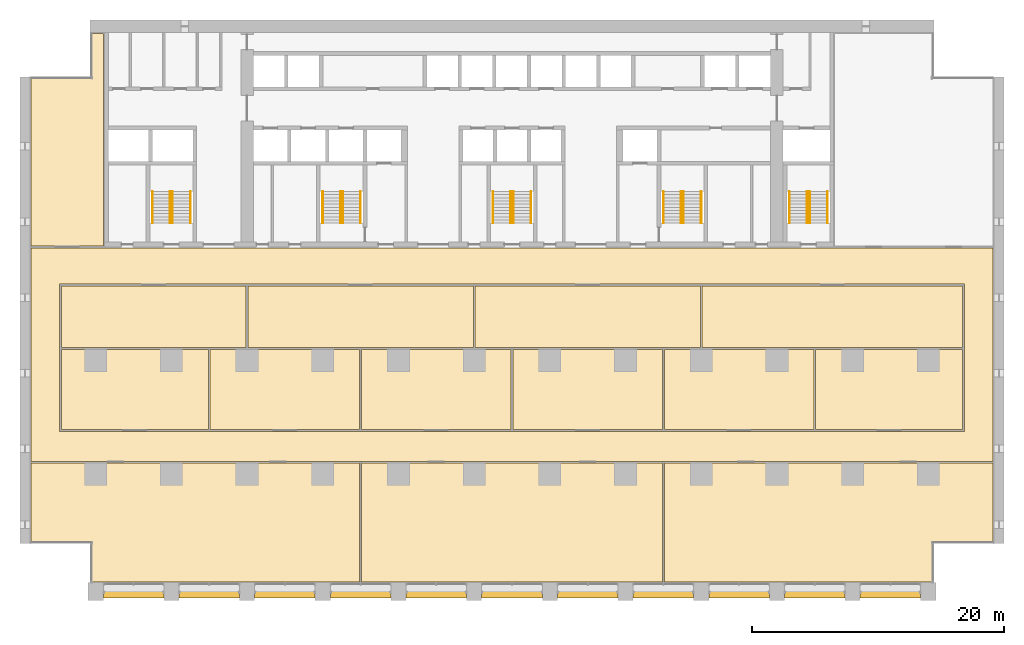
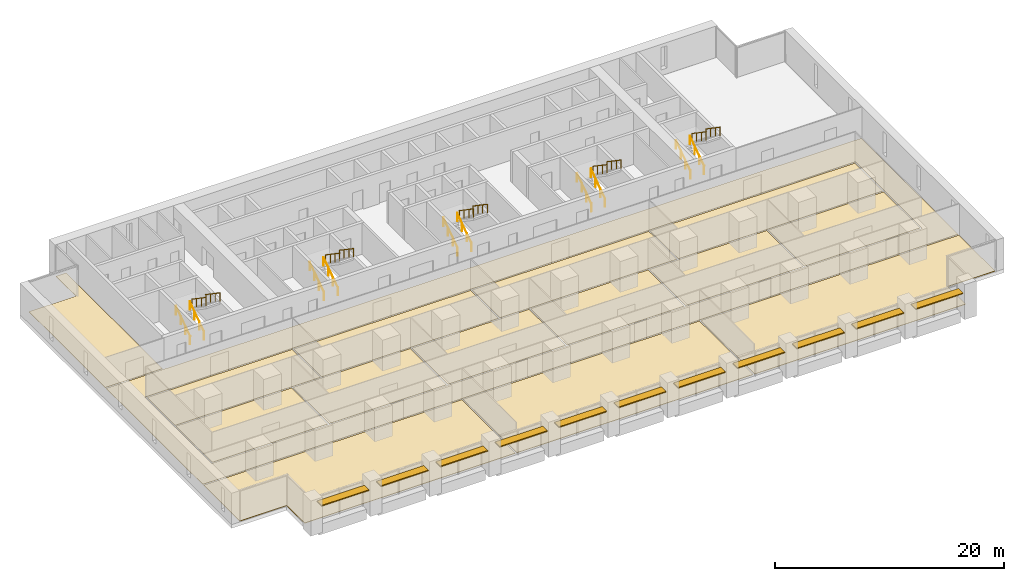
# One storey, part 17 of 18: 20 railings, 15 coverings, 11 shading devices, 5 elements without a shape of their own.
"""IFC4 building model written with IfcOpenShell, lengths in metres."""

from ifc_helpers import new_model, si_unit, direction, frame, origin, origin_2d, place, context, subcontext, project, spatial, polyline, rectangle, circle, outline, extrude, material, layer, layer_set, material_profile, profile_set, type_object, element, aggregate, save


model = new_model("IFC4")

# Units and contexts
model_context = context("Model", 3, precision=1e-05, world=origin(), true_north=direction((0.0, 1.0)))
body_context = subcontext(model_context, "Body", "Model", "MODEL_VIEW")
ifc_project = project(units=[si_unit("LENGTHUNIT", "METRE"), si_unit("AREAUNIT", "SQUARE_METRE"), si_unit("VOLUMEUNIT", "CUBIC_METRE"), si_unit("PLANEANGLEUNIT", "RADIAN"), si_unit("MASSUNIT", "GRAM", prefix="KILO")], contexts=[model_context])

# Site, building, storey
site_placement = place(None, origin())
site = spatial("IfcSite", under=ifc_project, at=site_placement, CompositionType="ELEMENT")
building_placement = place(site_placement, origin())
building = spatial("IfcBuilding", under=site, at=building_placement, Name="Calvaro Tower", CompositionType="ELEMENT")
storey_placement = place(building_placement, frame((0.0, 0.0, 33.75)))
storey = spatial("IfcBuildingStorey", under=building, at=storey_placement, Name="L07", CompositionType="ELEMENT", Elevation=33.75)

# Shading devices
ifc_material_1 = material(Name="Anodised aluminium", Category="aluminium")
ifc_material_profile = material_profile(ifc_material_1, rectangle(XDim=0.800048828125, YDim=0.10009765625, at=origin_2d()), Name="Brise-soleil blade 800 x 100")
ifc_profile_set = profile_set([ifc_material_profile], Name="Anodised aluminium")
shading_device_type = type_object("IfcShadingDeviceType", Name="Brise-soleil blade 800 x 100", PredefinedType="JALOUSIE", material=ifc_profile_set)
for number, where, z_axis, x_axis, name in (
    (1, (6.60009765625, 0.60009765625, 2.300048828125), (1.0, 0.0, 0.0), (0.0, 1.0, 0.0), "Brise-soleil blade 1"),
    (2, (12.60009765625, 0.60009765625, 2.300048828125), (1.0, 0.0, 0.0), (0.0, 1.0, 0.0), "Brise-soleil blade 2"),
    (3, (18.60009765625, 0.60009765625, 2.300048828125), (1.0, 0.0, 0.0), (0.0, 1.0, 0.0), "Brise-soleil blade 3"),
    (4, (24.60009765625, 0.60009765625, 2.300048828125), (1.0, 0.0, 0.0), (0.0, 1.0, 0.0), "Brise-soleil blade 4"),
    (5, (30.60009765625, 0.60009765625, 2.300048828125), (1.0, 0.0, 0.0), (0.0, 1.0, 0.0), "Brise-soleil blade 5"),
    (6, (36.60009765625, 0.60009765625, 2.300048828125), (1.0, 0.0, 0.0), (0.0, 1.0, 0.0), "Brise-soleil blade 6"),
    (7, (42.60009765625, 0.60009765625, 2.300048828125), (1.0, 0.0, 0.0), (0.0, 1.0, 0.0), "Brise-soleil blade 7"),
    (8, (48.60009765625, 0.60009765625, 2.300048828125), (1.0, 0.0, 0.0), (0.0, 1.0, 0.0), "Brise-soleil blade 8"),
    (9, (54.60009765625, 0.60009765625, 2.300048828125), (1.0, 0.0, 0.0), (0.0, 1.0, 0.0), "Brise-soleil blade 9"),
    (10, (60.60009765625, 0.60009765625, 2.300048828125), (1.0, 0.0, 0.0), (0.0, 1.0, 0.0), "Brise-soleil blade 10"),
    (11, (66.60009765625, 0.60009765625, 2.300048828125), (1.0, 0.0, 0.0), (0.0, 1.0, 0.0), "Brise-soleil blade 11"),
):
    element("IfcShadingDevice", number, at=place(storey_placement, frame(where, z_axis=z_axis, x_axis=x_axis)), inside=storey, type_object=shading_device_type, Name=name, PredefinedType="JALOUSIE", context=body_context, shape_type="SweptSolid", body=[
        extrude(rectangle(XDim=0.800048828125, YDim=0.10009765625, at=origin_2d()), origin(), (0.0, 0.0, 1.0), 4.7998046875),
    ])

# Coverings
ifc_material_2 = material(Name="Cement screed with carpet tile finish")
ifc_layer = layer(ifc_material_2, 0.050048828125)
ifc_layer_set = layer_set([ifc_layer], Name="Cement screed with carpet tile finish")
covering_type = type_object("IfcCoveringType", Name="Floor finish 50", PredefinedType="FLOORING", material=ifc_layer_set)
covering_1_placement = place(storey_placement, origin())
element("IfcCovering", 12, at=covering_1_placement, inside=storey, type_object=covering_type, Name="Floor finish 08.01", PredefinedType="FLOORING", context=body_context, shape_type="SweptSolid", body=[
    extrude(outline(polyline([(0.8701171875, 11.02001953125), (0.8701171875, 27.929931640625), (77.1298828125, 27.929931640625), (77.1298828125, 11.02001953125), (0.8701171875, 11.02001953125)]), holes=[polyline([(74.8701171875, 13.3798828125), (74.8701171875, 25.070068359375), (3.1298828125, 25.070068359375), (3.1298828125, 13.3798828125), (74.8701171875, 13.3798828125)])]), origin(), (0.0, 0.0, 1.0), 0.050048828125),
])
covering_2_placement = place(storey_placement, origin())
element("IfcCovering", 13, at=covering_2_placement, inside=storey, type_object=covering_type, Name="Floor finish 08.03", PredefinedType="FLOORING", context=body_context, shape_type="SweptSolid", body=[
    extrude(outline(polyline([(26.929931640625, 10.8798828125), (26.929931640625, 1.469970703125), (5.6201171875, 1.469970703125), (5.6201171875, 4.570068359375), (0.8701171875, 4.570068359375), (0.8701171875, 10.8798828125), (26.929931640625, 10.8798828125)])), origin(), (0.0, 0.0, 1.0), 0.050048828125),
])
covering_3_placement = place(storey_placement, origin())
element("IfcCovering", 14, at=covering_3_placement, inside=storey, type_object=covering_type, Name="Floor finish 08.02", PredefinedType="FLOORING", context=body_context, shape_type="SweptSolid", body=[
    extrude(outline(polyline([(27.070068359375, 10.8798828125), (50.929931640625, 10.8798828125), (50.929931640625, 1.469970703125), (27.070068359375, 1.469970703125), (27.070068359375, 10.8798828125)])), origin(), (0.0, 0.0, 1.0), 0.050048828125),
])
covering_4_placement = place(storey_placement, origin())
element("IfcCovering", 15, at=covering_4_placement, inside=storey, type_object=covering_type, Name="Floor finish 08.04", PredefinedType="FLOORING", context=body_context, shape_type="SweptSolid", body=[
    extrude(outline(polyline([(77.1298828125, 4.570068359375), (72.3798828125, 4.570068359375), (72.3798828125, 1.469970703125), (51.070068359375, 1.469970703125), (51.070068359375, 10.8798828125), (77.1298828125, 10.8798828125), (77.1298828125, 4.570068359375)])), origin(), (0.0, 0.0, 1.0), 0.050048828125),
])
covering_5_placement = place(storey_placement, origin())
element("IfcCovering", 16, at=covering_5_placement, inside=storey, type_object=covering_type, Name="Floor finish 08.05", PredefinedType="FLOORING", context=body_context, shape_type="SweptSolid", body=[
    extrude(outline(polyline([(3.27001953125, 13.52001953125), (3.27001953125, 19.8798828125), (14.929931640625, 19.8798828125), (14.929931640625, 13.52001953125), (3.27001953125, 13.52001953125)])), origin(), (0.0, 0.0, 1.0), 0.050048828125),
])
covering_6_placement = place(storey_placement, origin())
element("IfcCovering", 17, at=covering_6_placement, inside=storey, type_object=covering_type, Name="Floor finish 08.06", PredefinedType="FLOORING", context=body_context, shape_type="SweptSolid", body=[
    extrude(outline(polyline([(15.070068359375, 13.52001953125), (15.070068359375, 19.8798828125), (26.929931640625, 19.8798828125), (26.929931640625, 13.52001953125), (15.070068359375, 13.52001953125)])), origin(), (0.0, 0.0, 1.0), 0.050048828125),
])
covering_7_placement = place(storey_placement, origin())
element("IfcCovering", 18, at=covering_7_placement, inside=storey, type_object=covering_type, Name="Floor finish 08.07", PredefinedType="FLOORING", context=body_context, shape_type="SweptSolid", body=[
    extrude(outline(polyline([(27.070068359375, 13.52001953125), (27.070068359375, 19.8798828125), (38.929931640625, 19.8798828125), (38.929931640625, 13.52001953125), (27.070068359375, 13.52001953125)])), origin(), (0.0, 0.0, 1.0), 0.050048828125),
])
covering_8_placement = place(storey_placement, origin())
element("IfcCovering", 19, at=covering_8_placement, inside=storey, type_object=covering_type, Name="Floor finish 08.08", PredefinedType="FLOORING", context=body_context, shape_type="SweptSolid", body=[
    extrude(outline(polyline([(39.070068359375, 13.52001953125), (39.070068359375, 19.8798828125), (50.929931640625, 19.8798828125), (50.929931640625, 13.52001953125), (39.070068359375, 13.52001953125)])), origin(), (0.0, 0.0, 1.0), 0.050048828125),
])
covering_9_placement = place(storey_placement, origin())
element("IfcCovering", 20, at=covering_9_placement, inside=storey, type_object=covering_type, Name="Floor finish 08.09", PredefinedType="FLOORING", context=body_context, shape_type="SweptSolid", body=[
    extrude(outline(polyline([(51.070068359375, 13.52001953125), (51.070068359375, 19.8798828125), (62.929931640625, 19.8798828125), (62.929931640625, 13.52001953125), (51.070068359375, 13.52001953125)])), origin(), (0.0, 0.0, 1.0), 0.050048828125),
])
covering_10_placement = place(storey_placement, origin())
element("IfcCovering", 21, at=covering_10_placement, inside=storey, type_object=covering_type, Name="Floor finish 08.10", PredefinedType="FLOORING", context=body_context, shape_type="SweptSolid", body=[
    extrude(outline(polyline([(63.070068359375, 13.52001953125), (63.070068359375, 19.8798828125), (74.72998046875, 19.8798828125), (74.72998046875, 13.52001953125), (63.070068359375, 13.52001953125)])), origin(), (0.0, 0.0, 1.0), 0.050048828125),
])
covering_11_placement = place(storey_placement, origin())
element("IfcCovering", 22, at=covering_11_placement, inside=storey, type_object=covering_type, Name="Floor finish 08.11", PredefinedType="FLOORING", context=body_context, shape_type="SweptSolid", body=[
    extrude(outline(polyline([(3.27001953125, 20.02001953125), (3.27001953125, 24.929931640625), (17.929931640625, 24.929931640625), (17.929931640625, 20.02001953125), (3.27001953125, 20.02001953125)])), origin(), (0.0, 0.0, 1.0), 0.050048828125),
])
covering_12_placement = place(storey_placement, origin())
element("IfcCovering", 23, at=covering_12_placement, inside=storey, type_object=covering_type, Name="Floor finish 08.12", PredefinedType="FLOORING", context=body_context, shape_type="SweptSolid", body=[
    extrude(outline(polyline([(18.070068359375, 20.02001953125), (18.070068359375, 24.929931640625), (35.929931640625, 24.929931640625), (35.929931640625, 20.02001953125), (18.070068359375, 20.02001953125)])), origin(), (0.0, 0.0, 1.0), 0.050048828125),
])
covering_13_placement = place(storey_placement, origin())
element("IfcCovering", 24, at=covering_13_placement, inside=storey, type_object=covering_type, Name="Floor finish 08.13", PredefinedType="FLOORING", context=body_context, shape_type="SweptSolid", body=[
    extrude(outline(polyline([(36.070068359375, 20.02001953125), (36.070068359375, 24.929931640625), (53.929931640625, 24.929931640625), (53.929931640625, 20.02001953125), (36.070068359375, 20.02001953125)])), origin(), (0.0, 0.0, 1.0), 0.050048828125),
])
covering_14_placement = place(storey_placement, origin())
element("IfcCovering", 25, at=covering_14_placement, inside=storey, type_object=covering_type, Name="Floor finish 08.14", PredefinedType="FLOORING", context=body_context, shape_type="SweptSolid", body=[
    extrude(outline(polyline([(54.070068359375, 20.02001953125), (54.070068359375, 24.929931640625), (74.72998046875, 24.929931640625), (74.72998046875, 20.02001953125), (54.070068359375, 20.02001953125)])), origin(), (0.0, 0.0, 1.0), 0.050048828125),
])
covering_15_placement = place(storey_placement, origin())
element("IfcCovering", 26, at=covering_15_placement, inside=storey, type_object=covering_type, Name="Floor finish 08.15", PredefinedType="FLOORING", context=body_context, shape_type="SweptSolid", body=[
    extrude(outline(polyline([(6.6298828125, 28.070068359375), (0.8701171875, 28.070068359375), (0.8701171875, 41.429931640625), (5.6201171875, 41.429931640625), (5.6201171875, 44.929931640625), (6.6298828125, 44.929931640625), (6.6298828125, 28.070068359375)])), origin(), (0.0, 0.0, 1.0), 0.050048828125),
])

# Stair, railings
ifc_material_3 = material(Name="Concrete C40/50", Category="concrete")
stair_type = type_object("IfcStairType", Name="Exit stair 1400 2 flights", PredefinedType="HALF_TURN_STAIR", material=ifc_material_3)
stair_1_placement = place(storey_placement, origin())
stair_1 = element("IfcStair", 27, at=stair_1_placement, inside=storey, type_object=stair_type, Name="Exit stair S1", PredefinedType="HALF_TURN_STAIR")
ifc_material_4 = material(Name="Stainless steel", Category="steel")
railing_type = type_object("IfcRailingType", Name="Stair handrail", PredefinedType="HANDRAIL", material=ifc_material_4)
railing_1_placement = place(storey_placement, frame((11.89990234375, 29.89990234375, 0.17041015625)))
railing_1 = element("IfcRailing", 28, at=railing_1_placement, type_object=railing_type, Name="Exit stair 1 handrail", PredefinedType="HANDRAIL", context=body_context, shape_type="SweptSolid", body=[
    extrude(circle(Radius=0.02392578125, at=origin_2d()), frame((0.0, 0.0, 0.8759765625), z_axis=(0.0, 0.826220514629, 0.563346839174), x_axis=(-1.0, 0.0, 0.0)), (0.0, 0.0, 1.0), 3.02587890625),
    extrude(circle(Radius=0.02099609375, at=origin_2d()), frame((0.0, 0.017333984375, 0.01171875)), (0.0, 0.0, 1.0), 0.851806640625),
    extrude(circle(Radius=0.02099609375, at=origin_2d()), frame((0.0, 0.833251953125, 0.568115234375)), (0.0, 0.0, 1.0), 0.851806640625),
    extrude(circle(Radius=0.02099609375, at=origin_2d()), frame((0.0, 1.666748046875, 1.136474609375)), (0.0, 0.0, 1.0), 0.851806640625),
    extrude(circle(Radius=0.02099609375, at=origin_2d()), frame((0.0, 2.482666015625, 1.69287109375)), (0.0, 0.0, 1.0), 0.851806640625),
])
railing_2_placement = place(storey_placement, frame((10.5, 29.89990234375, 0.17041015625)))
railing_2 = element("IfcRailing", 29, at=railing_2_placement, type_object=railing_type, Name="Exit stair 1 handrail", PredefinedType="HANDRAIL", context=body_context, shape_type="SweptSolid", body=[
    extrude(circle(Radius=0.02392578125, at=origin_2d()), frame((0.0, 0.0, 0.8759765625), z_axis=(0.0, 0.826220514629, 0.563346839174), x_axis=(-1.0, 0.0, 0.0)), (0.0, 0.0, 1.0), 3.02587890625),
    extrude(circle(Radius=0.02099609375, at=origin_2d()), frame((0.0, 0.017333984375, 0.01171875)), (0.0, 0.0, 1.0), 0.851806640625),
    extrude(circle(Radius=0.02099609375, at=origin_2d()), frame((0.0, 0.833251953125, 0.568115234375)), (0.0, 0.0, 1.0), 0.851806640625),
    extrude(circle(Radius=0.02099609375, at=origin_2d()), frame((0.0, 1.666748046875, 1.136474609375)), (0.0, 0.0, 1.0), 0.851806640625),
    extrude(circle(Radius=0.02099609375, at=origin_2d()), frame((0.0, 2.482666015625, 1.69287109375)), (0.0, 0.0, 1.0), 0.851806640625),
])
railing_3_placement = place(storey_placement, frame((12.10009765625, 32.39990234375, 2.04541015625)))
railing_3 = element("IfcRailing", 30, at=railing_3_placement, type_object=railing_type, Name="Exit stair 1 handrail", PredefinedType="HANDRAIL", context=body_context, shape_type="SweptSolid", body=[
    extrude(circle(Radius=0.02392578125, at=origin_2d()), frame((0.0, 0.0, 0.8759765625), z_axis=(0.0, -0.826220514629, 0.563346839174), x_axis=(1.0, 0.0, 0.0)), (0.0, 0.0, 1.0), 3.02587890625),
    extrude(circle(Radius=0.02099609375, at=origin_2d()), frame((0.0, -0.017333984375, 0.01171875)), (0.0, 0.0, 1.0), 0.851806640625),
    extrude(circle(Radius=0.02099609375, at=origin_2d()), frame((0.0, -0.833251953125, 0.568115234375)), (0.0, 0.0, 1.0), 0.851806640625),
    extrude(circle(Radius=0.02099609375, at=origin_2d()), frame((0.0, -1.666748046875, 1.136474609375)), (0.0, 0.0, 1.0), 0.851806640625),
    extrude(circle(Radius=0.02099609375, at=origin_2d()), frame((0.0, -2.482666015625, 1.69287109375)), (0.0, 0.0, 1.0), 0.851806640625),
])
railing_4_placement = place(storey_placement, frame((13.5, 32.39990234375, 2.04541015625)))
railing_4 = element("IfcRailing", 31, at=railing_4_placement, type_object=railing_type, Name="Exit stair 1 handrail", PredefinedType="HANDRAIL", context=body_context, shape_type="SweptSolid", body=[
    extrude(circle(Radius=0.02392578125, at=origin_2d()), frame((0.0, 0.0, 0.8759765625), z_axis=(0.0, -0.826220514629, 0.563346839174), x_axis=(1.0, 0.0, 0.0)), (0.0, 0.0, 1.0), 3.02587890625),
    extrude(circle(Radius=0.02099609375, at=origin_2d()), frame((0.0, -0.017333984375, 0.01171875)), (0.0, 0.0, 1.0), 0.851806640625),
    extrude(circle(Radius=0.02099609375, at=origin_2d()), frame((0.0, -0.833251953125, 0.568115234375)), (0.0, 0.0, 1.0), 0.851806640625),
    extrude(circle(Radius=0.02099609375, at=origin_2d()), frame((0.0, -1.666748046875, 1.136474609375)), (0.0, 0.0, 1.0), 0.851806640625),
    extrude(circle(Radius=0.02099609375, at=origin_2d()), frame((0.0, -2.482666015625, 1.69287109375)), (0.0, 0.0, 1.0), 0.851806640625),
])
aggregate(stair_1, [railing_1, railing_2, railing_3, railing_4])

stair_2_placement = place(storey_placement, origin())
stair_2 = element("IfcStair", 32, at=stair_2_placement, inside=storey, type_object=stair_type, Name="Exit stair S2", PredefinedType="HALF_TURN_STAIR")
railing_5_placement = place(storey_placement, frame((25.39990234375, 29.89990234375, 0.17041015625)))
railing_5 = element("IfcRailing", 33, at=railing_5_placement, type_object=railing_type, Name="Exit stair 2 handrail", PredefinedType="HANDRAIL", context=body_context, shape_type="SweptSolid", body=[
    extrude(circle(Radius=0.02392578125, at=origin_2d()), frame((0.0, 0.0, 0.8759765625), z_axis=(0.0, 0.826220514629, 0.563346839174), x_axis=(-1.0, 0.0, 0.0)), (0.0, 0.0, 1.0), 3.02587890625),
    extrude(circle(Radius=0.02099609375, at=origin_2d()), frame((0.0, 0.017333984375, 0.01171875)), (0.0, 0.0, 1.0), 0.851806640625),
    extrude(circle(Radius=0.02099609375, at=origin_2d()), frame((0.0, 0.833251953125, 0.568115234375)), (0.0, 0.0, 1.0), 0.851806640625),
    extrude(circle(Radius=0.02099609375, at=origin_2d()), frame((0.0, 1.666748046875, 1.136474609375)), (0.0, 0.0, 1.0), 0.851806640625),
    extrude(circle(Radius=0.02099609375, at=origin_2d()), frame((0.0, 2.482666015625, 1.69287109375)), (0.0, 0.0, 1.0), 0.851806640625),
])
railing_6_placement = place(storey_placement, frame((24.0, 29.89990234375, 0.17041015625)))
railing_6 = element("IfcRailing", 34, at=railing_6_placement, type_object=railing_type, Name="Exit stair 2 handrail", PredefinedType="HANDRAIL", context=body_context, shape_type="SweptSolid", body=[
    extrude(circle(Radius=0.02392578125, at=origin_2d()), frame((0.0, 0.0, 0.8759765625), z_axis=(0.0, 0.826220514629, 0.563346839174), x_axis=(-1.0, 0.0, 0.0)), (0.0, 0.0, 1.0), 3.02587890625),
    extrude(circle(Radius=0.02099609375, at=origin_2d()), frame((0.0, 0.017333984375, 0.01171875)), (0.0, 0.0, 1.0), 0.851806640625),
    extrude(circle(Radius=0.02099609375, at=origin_2d()), frame((0.0, 0.833251953125, 0.568115234375)), (0.0, 0.0, 1.0), 0.851806640625),
    extrude(circle(Radius=0.02099609375, at=origin_2d()), frame((0.0, 1.666748046875, 1.136474609375)), (0.0, 0.0, 1.0), 0.851806640625),
    extrude(circle(Radius=0.02099609375, at=origin_2d()), frame((0.0, 2.482666015625, 1.69287109375)), (0.0, 0.0, 1.0), 0.851806640625),
])
railing_7_placement = place(storey_placement, frame((25.60009765625, 32.39990234375, 2.04541015625)))
railing_7 = element("IfcRailing", 35, at=railing_7_placement, type_object=railing_type, Name="Exit stair 2 handrail", PredefinedType="HANDRAIL", context=body_context, shape_type="SweptSolid", body=[
    extrude(circle(Radius=0.02392578125, at=origin_2d()), frame((0.0, 0.0, 0.8759765625), z_axis=(0.0, -0.826220514629, 0.563346839174), x_axis=(1.0, 0.0, 0.0)), (0.0, 0.0, 1.0), 3.02587890625),
    extrude(circle(Radius=0.02099609375, at=origin_2d()), frame((0.0, -0.017333984375, 0.01171875)), (0.0, 0.0, 1.0), 0.851806640625),
    extrude(circle(Radius=0.02099609375, at=origin_2d()), frame((0.0, -0.833251953125, 0.568115234375)), (0.0, 0.0, 1.0), 0.851806640625),
    extrude(circle(Radius=0.02099609375, at=origin_2d()), frame((0.0, -1.666748046875, 1.136474609375)), (0.0, 0.0, 1.0), 0.851806640625),
    extrude(circle(Radius=0.02099609375, at=origin_2d()), frame((0.0, -2.482666015625, 1.69287109375)), (0.0, 0.0, 1.0), 0.851806640625),
])
railing_8_placement = place(storey_placement, frame((27.0, 32.39990234375, 2.04541015625)))
railing_8 = element("IfcRailing", 36, at=railing_8_placement, type_object=railing_type, Name="Exit stair 2 handrail", PredefinedType="HANDRAIL", context=body_context, shape_type="SweptSolid", body=[
    extrude(circle(Radius=0.02392578125, at=origin_2d()), frame((0.0, 0.0, 0.8759765625), z_axis=(0.0, -0.826220514629, 0.563346839174), x_axis=(1.0, 0.0, 0.0)), (0.0, 0.0, 1.0), 3.02587890625),
    extrude(circle(Radius=0.02099609375, at=origin_2d()), frame((0.0, -0.017333984375, 0.01171875)), (0.0, 0.0, 1.0), 0.851806640625),
    extrude(circle(Radius=0.02099609375, at=origin_2d()), frame((0.0, -0.833251953125, 0.568115234375)), (0.0, 0.0, 1.0), 0.851806640625),
    extrude(circle(Radius=0.02099609375, at=origin_2d()), frame((0.0, -1.666748046875, 1.136474609375)), (0.0, 0.0, 1.0), 0.851806640625),
    extrude(circle(Radius=0.02099609375, at=origin_2d()), frame((0.0, -2.482666015625, 1.69287109375)), (0.0, 0.0, 1.0), 0.851806640625),
])
aggregate(stair_2, [railing_5, railing_6, railing_7, railing_8])

stair_3_placement = place(storey_placement, origin())
stair_3 = element("IfcStair", 37, at=stair_3_placement, inside=storey, type_object=stair_type, Name="Exit stair S3", PredefinedType="HALF_TURN_STAIR")
railing_9_placement = place(storey_placement, frame((38.89990234375, 29.89990234375, 0.17041015625)))
railing_9 = element("IfcRailing", 38, at=railing_9_placement, type_object=railing_type, Name="Exit stair 3 handrail", PredefinedType="HANDRAIL", context=body_context, shape_type="SweptSolid", body=[
    extrude(circle(Radius=0.02392578125, at=origin_2d()), frame((0.0, 0.0, 0.8759765625), z_axis=(0.0, 0.826220514629, 0.563346839174), x_axis=(-1.0, 0.0, 0.0)), (0.0, 0.0, 1.0), 3.02587890625),
    extrude(circle(Radius=0.02099609375, at=origin_2d()), frame((0.0, 0.017333984375, 0.01171875)), (0.0, 0.0, 1.0), 0.851806640625),
    extrude(circle(Radius=0.02099609375, at=origin_2d()), frame((0.0, 0.833251953125, 0.568115234375)), (0.0, 0.0, 1.0), 0.851806640625),
    extrude(circle(Radius=0.02099609375, at=origin_2d()), frame((0.0, 1.666748046875, 1.136474609375)), (0.0, 0.0, 1.0), 0.851806640625),
    extrude(circle(Radius=0.02099609375, at=origin_2d()), frame((0.0, 2.482666015625, 1.69287109375)), (0.0, 0.0, 1.0), 0.851806640625),
])
railing_10_placement = place(storey_placement, frame((37.5, 29.89990234375, 0.17041015625)))
railing_10 = element("IfcRailing", 39, at=railing_10_placement, type_object=railing_type, Name="Exit stair 3 handrail", PredefinedType="HANDRAIL", context=body_context, shape_type="SweptSolid", body=[
    extrude(circle(Radius=0.02392578125, at=origin_2d()), frame((0.0, 0.0, 0.8759765625), z_axis=(0.0, 0.826220514629, 0.563346839174), x_axis=(-1.0, 0.0, 0.0)), (0.0, 0.0, 1.0), 3.02587890625),
    extrude(circle(Radius=0.02099609375, at=origin_2d()), frame((0.0, 0.017333984375, 0.01171875)), (0.0, 0.0, 1.0), 0.851806640625),
    extrude(circle(Radius=0.02099609375, at=origin_2d()), frame((0.0, 0.833251953125, 0.568115234375)), (0.0, 0.0, 1.0), 0.851806640625),
    extrude(circle(Radius=0.02099609375, at=origin_2d()), frame((0.0, 1.666748046875, 1.136474609375)), (0.0, 0.0, 1.0), 0.851806640625),
    extrude(circle(Radius=0.02099609375, at=origin_2d()), frame((0.0, 2.482666015625, 1.69287109375)), (0.0, 0.0, 1.0), 0.851806640625),
])
railing_11_placement = place(storey_placement, frame((39.10009765625, 32.39990234375, 2.04541015625)))
railing_11 = element("IfcRailing", 40, at=railing_11_placement, type_object=railing_type, Name="Exit stair 3 handrail", PredefinedType="HANDRAIL", context=body_context, shape_type="SweptSolid", body=[
    extrude(circle(Radius=0.02392578125, at=origin_2d()), frame((0.0, 0.0, 0.8759765625), z_axis=(0.0, -0.826220514629, 0.563346839174), x_axis=(1.0, 0.0, 0.0)), (0.0, 0.0, 1.0), 3.02587890625),
    extrude(circle(Radius=0.02099609375, at=origin_2d()), frame((0.0, -0.017333984375, 0.01171875)), (0.0, 0.0, 1.0), 0.851806640625),
    extrude(circle(Radius=0.02099609375, at=origin_2d()), frame((0.0, -0.833251953125, 0.568115234375)), (0.0, 0.0, 1.0), 0.851806640625),
    extrude(circle(Radius=0.02099609375, at=origin_2d()), frame((0.0, -1.666748046875, 1.136474609375)), (0.0, 0.0, 1.0), 0.851806640625),
    extrude(circle(Radius=0.02099609375, at=origin_2d()), frame((0.0, -2.482666015625, 1.69287109375)), (0.0, 0.0, 1.0), 0.851806640625),
])
railing_12_placement = place(storey_placement, frame((40.5, 32.39990234375, 2.04541015625)))
railing_12 = element("IfcRailing", 41, at=railing_12_placement, type_object=railing_type, Name="Exit stair 3 handrail", PredefinedType="HANDRAIL", context=body_context, shape_type="SweptSolid", body=[
    extrude(circle(Radius=0.02392578125, at=origin_2d()), frame((0.0, 0.0, 0.8759765625), z_axis=(0.0, -0.826220514629, 0.563346839174), x_axis=(1.0, 0.0, 0.0)), (0.0, 0.0, 1.0), 3.02587890625),
    extrude(circle(Radius=0.02099609375, at=origin_2d()), frame((0.0, -0.017333984375, 0.01171875)), (0.0, 0.0, 1.0), 0.851806640625),
    extrude(circle(Radius=0.02099609375, at=origin_2d()), frame((0.0, -0.833251953125, 0.568115234375)), (0.0, 0.0, 1.0), 0.851806640625),
    extrude(circle(Radius=0.02099609375, at=origin_2d()), frame((0.0, -1.666748046875, 1.136474609375)), (0.0, 0.0, 1.0), 0.851806640625),
    extrude(circle(Radius=0.02099609375, at=origin_2d()), frame((0.0, -2.482666015625, 1.69287109375)), (0.0, 0.0, 1.0), 0.851806640625),
])
aggregate(stair_3, [railing_9, railing_10, railing_11, railing_12])

stair_4_placement = place(storey_placement, origin())
stair_4 = element("IfcStair", 42, at=stair_4_placement, inside=storey, type_object=stair_type, Name="Exit stair S4", PredefinedType="HALF_TURN_STAIR")
railing_13_placement = place(storey_placement, frame((52.39990234375, 29.89990234375, 0.17041015625)))
railing_13 = element("IfcRailing", 43, at=railing_13_placement, type_object=railing_type, Name="Exit stair 4 handrail", PredefinedType="HANDRAIL", context=body_context, shape_type="SweptSolid", body=[
    extrude(circle(Radius=0.02392578125, at=origin_2d()), frame((0.0, 0.0, 0.8759765625), z_axis=(0.0, 0.826220514629, 0.563346839174), x_axis=(-1.0, 0.0, 0.0)), (0.0, 0.0, 1.0), 3.02587890625),
    extrude(circle(Radius=0.02099609375, at=origin_2d()), frame((0.0, 0.017333984375, 0.01171875)), (0.0, 0.0, 1.0), 0.851806640625),
    extrude(circle(Radius=0.02099609375, at=origin_2d()), frame((0.0, 0.833251953125, 0.568115234375)), (0.0, 0.0, 1.0), 0.851806640625),
    extrude(circle(Radius=0.02099609375, at=origin_2d()), frame((0.0, 1.666748046875, 1.136474609375)), (0.0, 0.0, 1.0), 0.851806640625),
    extrude(circle(Radius=0.02099609375, at=origin_2d()), frame((0.0, 2.482666015625, 1.69287109375)), (0.0, 0.0, 1.0), 0.851806640625),
])
railing_14_placement = place(storey_placement, frame((51.0, 29.89990234375, 0.17041015625)))
railing_14 = element("IfcRailing", 44, at=railing_14_placement, type_object=railing_type, Name="Exit stair 4 handrail", PredefinedType="HANDRAIL", context=body_context, shape_type="SweptSolid", body=[
    extrude(circle(Radius=0.02392578125, at=origin_2d()), frame((0.0, 0.0, 0.8759765625), z_axis=(0.0, 0.826220514629, 0.563346839174), x_axis=(-1.0, 0.0, 0.0)), (0.0, 0.0, 1.0), 3.02587890625),
    extrude(circle(Radius=0.02099609375, at=origin_2d()), frame((0.0, 0.017333984375, 0.01171875)), (0.0, 0.0, 1.0), 0.851806640625),
    extrude(circle(Radius=0.02099609375, at=origin_2d()), frame((0.0, 0.833251953125, 0.568115234375)), (0.0, 0.0, 1.0), 0.851806640625),
    extrude(circle(Radius=0.02099609375, at=origin_2d()), frame((0.0, 1.666748046875, 1.136474609375)), (0.0, 0.0, 1.0), 0.851806640625),
    extrude(circle(Radius=0.02099609375, at=origin_2d()), frame((0.0, 2.482666015625, 1.69287109375)), (0.0, 0.0, 1.0), 0.851806640625),
])
railing_15_placement = place(storey_placement, frame((52.60009765625, 32.39990234375, 2.04541015625)))
railing_15 = element("IfcRailing", 45, at=railing_15_placement, type_object=railing_type, Name="Exit stair 4 handrail", PredefinedType="HANDRAIL", context=body_context, shape_type="SweptSolid", body=[
    extrude(circle(Radius=0.02392578125, at=origin_2d()), frame((0.0, 0.0, 0.8759765625), z_axis=(0.0, -0.826220514629, 0.563346839174), x_axis=(1.0, 0.0, 0.0)), (0.0, 0.0, 1.0), 3.02587890625),
    extrude(circle(Radius=0.02099609375, at=origin_2d()), frame((0.0, -0.017333984375, 0.01171875)), (0.0, 0.0, 1.0), 0.851806640625),
    extrude(circle(Radius=0.02099609375, at=origin_2d()), frame((0.0, -0.833251953125, 0.568115234375)), (0.0, 0.0, 1.0), 0.851806640625),
    extrude(circle(Radius=0.02099609375, at=origin_2d()), frame((0.0, -1.666748046875, 1.136474609375)), (0.0, 0.0, 1.0), 0.851806640625),
    extrude(circle(Radius=0.02099609375, at=origin_2d()), frame((0.0, -2.482666015625, 1.69287109375)), (0.0, 0.0, 1.0), 0.851806640625),
])
railing_16_placement = place(storey_placement, frame((54.0, 32.39990234375, 2.04541015625)))
railing_16 = element("IfcRailing", 46, at=railing_16_placement, type_object=railing_type, Name="Exit stair 4 handrail", PredefinedType="HANDRAIL", context=body_context, shape_type="SweptSolid", body=[
    extrude(circle(Radius=0.02392578125, at=origin_2d()), frame((0.0, 0.0, 0.8759765625), z_axis=(0.0, -0.826220514629, 0.563346839174), x_axis=(1.0, 0.0, 0.0)), (0.0, 0.0, 1.0), 3.02587890625),
    extrude(circle(Radius=0.02099609375, at=origin_2d()), frame((0.0, -0.017333984375, 0.01171875)), (0.0, 0.0, 1.0), 0.851806640625),
    extrude(circle(Radius=0.02099609375, at=origin_2d()), frame((0.0, -0.833251953125, 0.568115234375)), (0.0, 0.0, 1.0), 0.851806640625),
    extrude(circle(Radius=0.02099609375, at=origin_2d()), frame((0.0, -1.666748046875, 1.136474609375)), (0.0, 0.0, 1.0), 0.851806640625),
    extrude(circle(Radius=0.02099609375, at=origin_2d()), frame((0.0, -2.482666015625, 1.69287109375)), (0.0, 0.0, 1.0), 0.851806640625),
])
aggregate(stair_4, [railing_13, railing_14, railing_15, railing_16])

stair_5_placement = place(storey_placement, origin())
stair_5 = element("IfcStair", 47, at=stair_5_placement, inside=storey, type_object=stair_type, Name="Exit stair S5", PredefinedType="HALF_TURN_STAIR")
railing_17_placement = place(storey_placement, frame((62.39990234375, 29.89990234375, 0.17041015625)))
railing_17 = element("IfcRailing", 48, at=railing_17_placement, type_object=railing_type, Name="Exit stair 5 handrail", PredefinedType="HANDRAIL", context=body_context, shape_type="SweptSolid", body=[
    extrude(circle(Radius=0.02392578125, at=origin_2d()), frame((0.0, 0.0, 0.8759765625), z_axis=(0.0, 0.826220514629, 0.563346839174), x_axis=(-1.0, 0.0, 0.0)), (0.0, 0.0, 1.0), 3.02587890625),
    extrude(circle(Radius=0.02099609375, at=origin_2d()), frame((0.0, 0.017333984375, 0.01171875)), (0.0, 0.0, 1.0), 0.851806640625),
    extrude(circle(Radius=0.02099609375, at=origin_2d()), frame((0.0, 0.833251953125, 0.568115234375)), (0.0, 0.0, 1.0), 0.851806640625),
    extrude(circle(Radius=0.02099609375, at=origin_2d()), frame((0.0, 1.666748046875, 1.136474609375)), (0.0, 0.0, 1.0), 0.851806640625),
    extrude(circle(Radius=0.02099609375, at=origin_2d()), frame((0.0, 2.482666015625, 1.69287109375)), (0.0, 0.0, 1.0), 0.851806640625),
])
railing_18_placement = place(storey_placement, frame((61.0, 29.89990234375, 0.17041015625)))
railing_18 = element("IfcRailing", 49, at=railing_18_placement, type_object=railing_type, Name="Exit stair 5 handrail", PredefinedType="HANDRAIL", context=body_context, shape_type="SweptSolid", body=[
    extrude(circle(Radius=0.02392578125, at=origin_2d()), frame((0.0, 0.0, 0.8759765625), z_axis=(0.0, 0.826220514629, 0.563346839174), x_axis=(-1.0, 0.0, 0.0)), (0.0, 0.0, 1.0), 3.02587890625),
    extrude(circle(Radius=0.02099609375, at=origin_2d()), frame((0.0, 0.017333984375, 0.01171875)), (0.0, 0.0, 1.0), 0.851806640625),
    extrude(circle(Radius=0.02099609375, at=origin_2d()), frame((0.0, 0.833251953125, 0.568115234375)), (0.0, 0.0, 1.0), 0.851806640625),
    extrude(circle(Radius=0.02099609375, at=origin_2d()), frame((0.0, 1.666748046875, 1.136474609375)), (0.0, 0.0, 1.0), 0.851806640625),
    extrude(circle(Radius=0.02099609375, at=origin_2d()), frame((0.0, 2.482666015625, 1.69287109375)), (0.0, 0.0, 1.0), 0.851806640625),
])
railing_19_placement = place(storey_placement, frame((62.60009765625, 32.39990234375, 2.04541015625)))
railing_19 = element("IfcRailing", 50, at=railing_19_placement, type_object=railing_type, Name="Exit stair 5 handrail", PredefinedType="HANDRAIL", context=body_context, shape_type="SweptSolid", body=[
    extrude(circle(Radius=0.02392578125, at=origin_2d()), frame((0.0, 0.0, 0.8759765625), z_axis=(0.0, -0.826220514629, 0.563346839174), x_axis=(1.0, 0.0, 0.0)), (0.0, 0.0, 1.0), 3.02587890625),
    extrude(circle(Radius=0.02099609375, at=origin_2d()), frame((0.0, -0.017333984375, 0.01171875)), (0.0, 0.0, 1.0), 0.851806640625),
    extrude(circle(Radius=0.02099609375, at=origin_2d()), frame((0.0, -0.833251953125, 0.568115234375)), (0.0, 0.0, 1.0), 0.851806640625),
    extrude(circle(Radius=0.02099609375, at=origin_2d()), frame((0.0, -1.666748046875, 1.136474609375)), (0.0, 0.0, 1.0), 0.851806640625),
    extrude(circle(Radius=0.02099609375, at=origin_2d()), frame((0.0, -2.482666015625, 1.69287109375)), (0.0, 0.0, 1.0), 0.851806640625),
])
railing_20_placement = place(storey_placement, frame((64.0, 32.39990234375, 2.04541015625)))
railing_20 = element("IfcRailing", 51, at=railing_20_placement, type_object=railing_type, Name="Exit stair 5 handrail", PredefinedType="HANDRAIL", context=body_context, shape_type="SweptSolid", body=[
    extrude(circle(Radius=0.02392578125, at=origin_2d()), frame((0.0, 0.0, 0.8759765625), z_axis=(0.0, -0.826220514629, 0.563346839174), x_axis=(1.0, 0.0, 0.0)), (0.0, 0.0, 1.0), 3.02587890625),
    extrude(circle(Radius=0.02099609375, at=origin_2d()), frame((0.0, -0.017333984375, 0.01171875)), (0.0, 0.0, 1.0), 0.851806640625),
    extrude(circle(Radius=0.02099609375, at=origin_2d()), frame((0.0, -0.833251953125, 0.568115234375)), (0.0, 0.0, 1.0), 0.851806640625),
    extrude(circle(Radius=0.02099609375, at=origin_2d()), frame((0.0, -1.666748046875, 1.136474609375)), (0.0, 0.0, 1.0), 0.851806640625),
    extrude(circle(Radius=0.02099609375, at=origin_2d()), frame((0.0, -2.482666015625, 1.69287109375)), (0.0, 0.0, 1.0), 0.851806640625),
])
aggregate(stair_5, [railing_17, railing_18, railing_19, railing_20])

save(model, "model.ifc")
